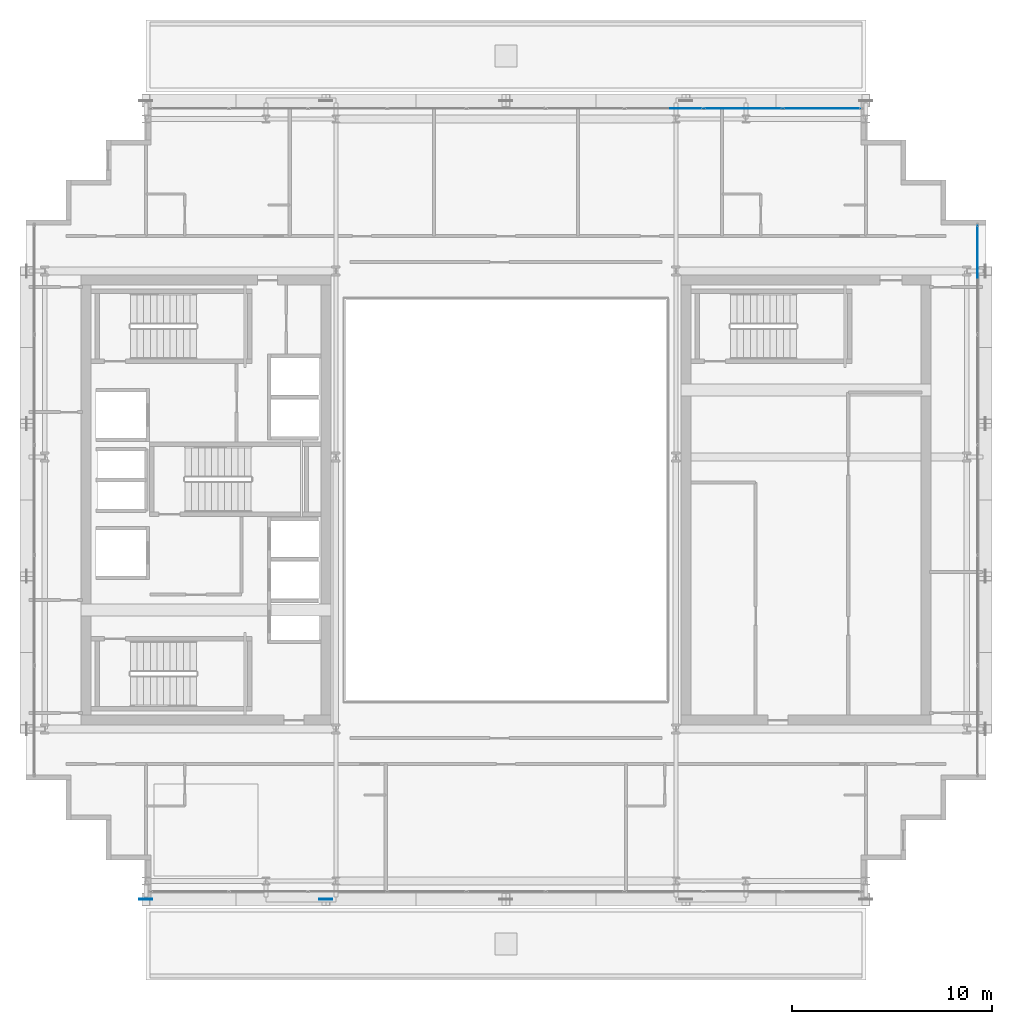
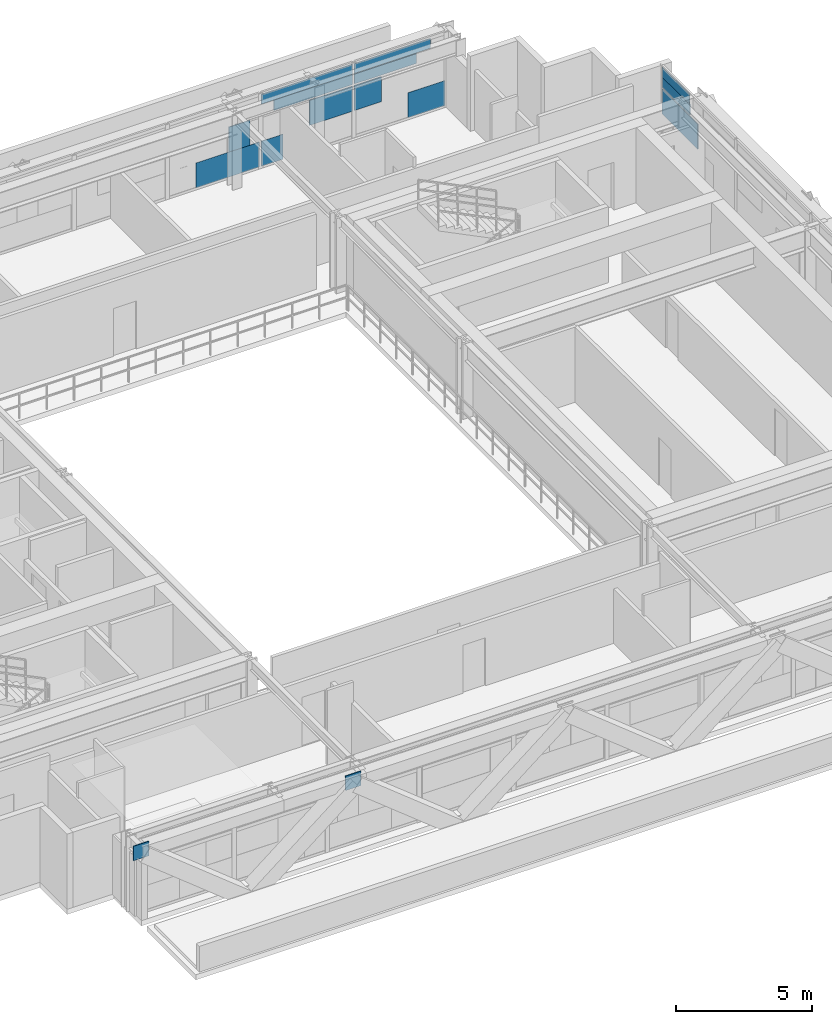
# One storey, part 24 of 34: 15 plates, 2 elements without a shape of their own.
"""IFC4 building model written with IfcOpenShell, lengths in metres."""

from ifc_helpers import new_model, si_unit, direction, frame, origin, origin_2d, place, context, subcontext, project, spatial, rectangle, extrude, source, transform, mapped, material, layer, layer_set, type_object, element, aggregate, save


model = new_model("IFC4")

# Units and contexts
model_context = context("Model", 3, precision=1e-05, world=origin(), true_north=direction((0.0, 1.0)))
body_context = subcontext(model_context, "Body", "Model", "MODEL_VIEW")
ifc_project = project(units=[si_unit("LENGTHUNIT", "METRE"), si_unit("AREAUNIT", "SQUARE_METRE"), si_unit("VOLUMEUNIT", "CUBIC_METRE"), si_unit("PLANEANGLEUNIT", "RADIAN"), si_unit("MASSUNIT", "GRAM", prefix="KILO")], contexts=[model_context])

# Site, building, storey
site_placement = place(None, origin())
site = spatial("IfcSite", under=ifc_project, at=site_placement, CompositionType="ELEMENT")
building_placement = place(site_placement, origin())
building = spatial("IfcBuilding", under=site, at=building_placement, Name="Ocotamira Hotel", CompositionType="ELEMENT")
storey_placement = place(building_placement, frame((0.0, 0.0, 163.199951171875)))
storey = spatial("IfcBuildingStorey", under=building, at=storey_placement, Name="L40", CompositionType="ELEMENT", Elevation=163.199951171875)

# Plates
ifc_material_1 = material(Name="Pale-metal coated steel ASTM A572 Grade 50", Category="steel")
ifc_layer_1 = layer(ifc_material_1, 0.0400390625)
ifc_layer_set_1 = layer_set([ifc_layer_1], Name="Pale-metal coated steel ASTM A572 Grade 50")
plate_type_1 = type_object("IfcPlateType", Name="PLT-GUSSET-40", PredefinedType="SHEET", material=ifc_layer_set_1)
shared_shape_1 = source(origin(), body_context, "Body", "SweptSolid", [
    extrude(rectangle(XDim=0.64990234375, YDim=0.0400390625, at=origin_2d()), origin(), (0.0, 0.0, 1.0), 0.64990234375),
])
for number, where, z_axis, x_axis, name in (
    (1, (14.0, 6.030029296875, 2.795166015625), (0.0, 0.0, 1.0), (-1.0, 0.0, 0.0), "L40 Exoskeleton Diagrid S0.1 End Gusset B"),
    (2, (23.0, 6.030029296875, 2.795166015625), (0.0, 0.0, 1.0), (1.0, 0.0, 0.0), "L40 Exoskeleton Diagrid S0.2 End Gusset B"),
):
    element("IfcPlate", number, at=place(storey_placement, frame(where, z_axis=z_axis, x_axis=x_axis)), inside=storey, type_object=plate_type_1, Name=name, PredefinedType="SHEET", context=body_context, shape_type="MappedRepresentation", body=[
        mapped(shared_shape_1, transform((0.0, 0.0, 0.0), scale=1.0)),
    ])

# Curtain wall, plates
ifc_material_2 = material(Name="Anodised pale-metal aluminium and solar glass", Category="aluminium")
ifc_layer_2 = layer(ifc_material_2, 0.199951171875)
ifc_layer_set_2 = layer_set([ifc_layer_2], Name="Anodised pale-metal aluminium and solar glass")
curtain_wall_type = type_object("IfcCurtainWallType", Name="CW-SYS4-Z3", PredefinedType="NOTDEFINED", material=ifc_layer_set_2)
curtain_wall_1_placement = place(storey_placement, origin())
curtain_wall_1 = element("IfcCurtainWall", 3, at=curtain_wall_1_placement, inside=storey, type_object=curtain_wall_type, Name="L40 Curtain Wall CW-4 CW-L40-N", PredefinedType="NOTDEFINED")
ifc_material_3 = material(Name="Double-silver low-E insulated solar glass", Category="glass")
ifc_layer_3 = layer(ifc_material_3, 0.031982421875)
ifc_layer_set_3 = layer_set([ifc_layer_3], Name="Double-silver low-E insulated solar glass")
plate_type_2 = type_object("IfcPlateType", Name="CWP-VISION-32", PredefinedType="CURTAIN_PANEL", material=ifc_layer_set_3)
shared_shape_2 = source(origin(), body_context, "Body", "SweptSolid", [
    extrude(rectangle(XDim=1.5673828125, YDim=0.031982421875, at=origin_2d()), origin(), (0.0, 0.0, 1.0), 1.118896484375),
])
plate_1_placement = place(storey_placement, frame((48.936279296875, 45.580078125, 0.0751953125), z_axis=(0.0, 0.0, 1.0), x_axis=(1.0, 0.0, 0.0)))
plate_1 = element("IfcPlate", 4, at=plate_1_placement, type_object=plate_type_2, Name="CW-4 panel 9.1.2", PredefinedType="CURTAIN_PANEL", context=body_context, shape_type="MappedRepresentation", body=[
    mapped(shared_shape_2, transform((0.0, 0.0, 0.0), scale=1.0)),
])
shared_shape_3 = source(origin(), body_context, "Body", "SweptSolid", [
    extrude(rectangle(XDim=1.1474609375, YDim=0.031982421875, at=origin_2d()), origin(), (0.0, 0.0, 1.0), 1.11865234375),
])
plate_2_placement = place(storey_placement, frame((46.458251953125, 45.580078125, 1.19384765625), z_axis=(0.0, 0.0, 1.0), x_axis=(1.0, 0.0, 0.0)))
plate_2 = element("IfcPlate", 5, at=plate_2_placement, type_object=plate_type_2, Name="CW-4 panel 9.1.1", PredefinedType="CURTAIN_PANEL", context=body_context, shape_type="MappedRepresentation", body=[
    mapped(shared_shape_3, transform((0.0, 0.0, 0.0), scale=1.0)),
])
shared_shape_4 = source(origin(), body_context, "Body", "SweptSolid", [
    extrude(rectangle(XDim=3.233154296875, YDim=0.031982421875, at=origin_2d()), origin(), (0.0, 0.0, 1.0), 0.4326171875),
])
plate_3_placement = place(storey_placement, frame((47.5009765625, 45.580078125, 2.862548828125), z_axis=(0.0, 0.0, 1.0), x_axis=(1.0, 0.0, 0.0)))
plate_3 = element("IfcPlate", 6, at=plate_3_placement, type_object=plate_type_2, Name="CW-4 panel 9.2.2", PredefinedType="CURTAIN_PANEL", context=body_context, shape_type="MappedRepresentation", body=[
    mapped(shared_shape_4, transform((0.0, 0.0, 0.0), scale=1.0)),
])
shared_shape_5 = source(origin(), body_context, "Body", "SweptSolid", [
    extrude(rectangle(XDim=2.6396484375, YDim=0.031982421875, at=origin_2d()), origin(), (0.0, 0.0, 1.0), 0.443603515625),
])
plate_4_placement = place(storey_placement, frame((47.204345703125, 45.580078125, 2.3876953125), z_axis=(0.0, 0.0, 1.0), x_axis=(1.0, 0.0, 0.0)))
plate_4 = element("IfcPlate", 7, at=plate_4_placement, type_object=plate_type_2, Name="CW-4 panel 9.2.1", PredefinedType="CURTAIN_PANEL", context=body_context, shape_type="MappedRepresentation", body=[
    mapped(shared_shape_5, transform((0.0, 0.0, 0.0), scale=1.0)),
])
shared_shape_6 = source(origin(), body_context, "Body", "SweptSolid", [
    extrude(rectangle(XDim=1.83642578125, YDim=0.031982421875, at=origin_2d()), origin(), (0.0, 0.0, 1.0), 1.11865234375),
])
plate_5_placement = place(storey_placement, frame((44.88623046875, 45.580078125, 1.19384765625), z_axis=(0.0, 0.0, 1.0), x_axis=(1.0, 0.0, 0.0)))
plate_5 = element("IfcPlate", 8, at=plate_5_placement, type_object=plate_type_2, Name="CW-4 panel 8.1.2", PredefinedType="CURTAIN_PANEL", context=body_context, shape_type="MappedRepresentation", body=[
    mapped(shared_shape_6, transform((0.0, 0.0, 0.0), scale=1.0)),
])
shared_shape_7 = source(origin(), body_context, "Body", "SweptSolid", [
    extrude(rectangle(XDim=0.918701171875, YDim=0.031982421875, at=origin_2d()), origin(), (0.0, 0.0, 1.0), 1.118896484375),
])
plate_6_placement = place(storey_placement, frame((42.38818359375, 45.580078125, 0.0751953125), z_axis=(0.0, 0.0, 1.0), x_axis=(1.0, 0.0, 0.0)))
plate_6 = element("IfcPlate", 9, at=plate_6_placement, type_object=plate_type_2, Name="CW-4 panel 8.1.1", PredefinedType="CURTAIN_PANEL", context=body_context, shape_type="MappedRepresentation", body=[
    mapped(shared_shape_7, transform((0.0, 0.0, 0.0), scale=1.0)),
])
shared_shape_8 = source(origin(), body_context, "Body", "SweptSolid", [
    extrude(rectangle(XDim=3.32861328125, YDim=0.031982421875, at=origin_2d()), origin(), (0.0, 0.0, 1.0), 0.474853515625),
])
plate_7_placement = place(storey_placement, frame((44.14013671875, 45.580078125, 2.3876953125), z_axis=(0.0, 0.0, 1.0), x_axis=(1.0, 0.0, 0.0)))
plate_7 = element("IfcPlate", 10, at=plate_7_placement, type_object=plate_type_2, Name="CW-4 panel 8.2.2", PredefinedType="CURTAIN_PANEL", context=body_context, shape_type="MappedRepresentation", body=[
    mapped(shared_shape_8, transform((0.0, 0.0, 0.0), scale=1.0)),
])
shared_shape_9 = source(origin(), body_context, "Body", "SweptSolid", [
    extrude(rectangle(XDim=3.87548828125, YDim=0.031982421875, at=origin_2d()), origin(), (0.0, 0.0, 1.0), 0.4326171875),
])
plate_8_placement = place(storey_placement, frame((43.86669921875, 45.580078125, 2.862548828125), z_axis=(0.0, 0.0, 1.0), x_axis=(1.0, 0.0, 0.0)))
plate_8 = element("IfcPlate", 11, at=plate_8_placement, type_object=plate_type_2, Name="CW-4 panel 8.2.1", PredefinedType="CURTAIN_PANEL", context=body_context, shape_type="MappedRepresentation", body=[
    mapped(shared_shape_9, transform((0.0, 0.0, 0.0), scale=1.0)),
])
shared_shape_10 = source(origin(), body_context, "Body", "SweptSolid", [
    extrude(rectangle(XDim=2.6962890625, YDim=0.031982421875, at=origin_2d()), origin(), (0.0, 0.0, 1.0), 1.118896484375),
])
plate_9_placement = place(storey_placement, frame((40.500732421875, 45.580078125, 0.0751953125), z_axis=(0.0, 0.0, 1.0), x_axis=(1.0, 0.0, 0.0)))
plate_9 = element("IfcPlate", 12, at=plate_9_placement, type_object=plate_type_2, Name="CW-4 panel 7.1.1", PredefinedType="CURTAIN_PANEL", context=body_context, shape_type="MappedRepresentation", body=[
    mapped(shared_shape_10, transform((0.0, 0.0, 0.0), scale=1.0)),
])
shared_shape_11 = source(origin(), body_context, "Body", "SweptSolid", [
    extrude(rectangle(XDim=0.898193359375, YDim=0.031982421875, at=origin_2d()), origin(), (0.0, 0.0, 1.0), 1.11865234375),
])
plate_10_placement = place(storey_placement, frame((41.0, 45.580078125, 1.19384765625), z_axis=(0.0, 0.0, 1.0), x_axis=(1.0, 0.0, 0.0)))
plate_10 = element("IfcPlate", 13, at=plate_10_placement, type_object=plate_type_2, Name="CW-4 panel 7.1.2", PredefinedType="CURTAIN_PANEL", context=body_context, shape_type="MappedRepresentation", body=[
    mapped(shared_shape_11, transform((0.0, 0.0, 0.0), scale=1.0)),
])
aggregate(curtain_wall_1, [plate_9, plate_10, plate_6, plate_5, plate_8, plate_7, plate_2, plate_1, plate_4, plate_3])

curtain_wall_2_placement = place(storey_placement, origin())
curtain_wall_2 = element("IfcCurtainWall", 14, at=curtain_wall_2_placement, inside=storey, type_object=curtain_wall_type, Name="L40 Curtain Wall CW-4 CW-L40-E", PredefinedType="NOTDEFINED")
shared_shape_12 = source(origin(), body_context, "Body", "SweptSolid", [
    extrude(rectangle(XDim=2.615966796875, YDim=0.031982421875, at=origin_2d()), origin(), (0.0, 0.0, 1.0), 1.11865234375),
])
plate_11_placement = place(storey_placement, frame((55.580078125, 38.412109375, 1.19384765625), z_axis=(0.0, 0.0, 1.0), x_axis=(0.0, 1.0, 0.0)))
plate_11 = element("IfcPlate", 15, at=plate_11_placement, type_object=plate_type_2, Name="CW-4 panel 5.1.2", PredefinedType="CURTAIN_PANEL", context=body_context, shape_type="MappedRepresentation", body=[
    mapped(shared_shape_12, transform((0.0, 0.0, 0.0), scale=1.0)),
])
shared_shape_13 = source(origin(), body_context, "Body", "SweptSolid", [
    extrude(rectangle(XDim=2.048095703125, YDim=0.031982421875, at=origin_2d()), origin(), (0.0, 0.0, 1.0), 0.460693359375),
])
plate_12_placement = place(storey_placement, frame((55.580078125, 38.696044921875, 2.3876953125), z_axis=(0.0, 0.0, 1.0), x_axis=(0.0, 1.0, 0.0)))
plate_12 = element("IfcPlate", 16, at=plate_12_placement, type_object=plate_type_2, Name="CW-4 panel 5.2.3", PredefinedType="CURTAIN_PANEL", context=body_context, shape_type="MappedRepresentation", body=[
    mapped(shared_shape_13, transform((0.0, 0.0, 0.0), scale=1.0)),
])
shared_shape_14 = source(origin(), body_context, "Body", "SweptSolid", [
    extrude(rectangle(XDim=2.01171875, YDim=0.031982421875, at=origin_2d()), origin(), (0.0, 0.0, 1.0), 0.44677734375),
])
plate_13_placement = place(storey_placement, frame((55.580078125, 38.714111328125, 2.84814453125), z_axis=(0.0, 0.0, 1.0), x_axis=(0.0, 1.0, 0.0)))
plate_13 = element("IfcPlate", 17, at=plate_13_placement, type_object=plate_type_2, Name="CW-4 panel 5.2.4", PredefinedType="CURTAIN_PANEL", context=body_context, shape_type="MappedRepresentation", body=[
    mapped(shared_shape_14, transform((0.0, 0.0, 0.0), scale=1.0)),
])
aggregate(curtain_wall_2, [plate_11, plate_12, plate_13])

save(model, "model.ifc")
